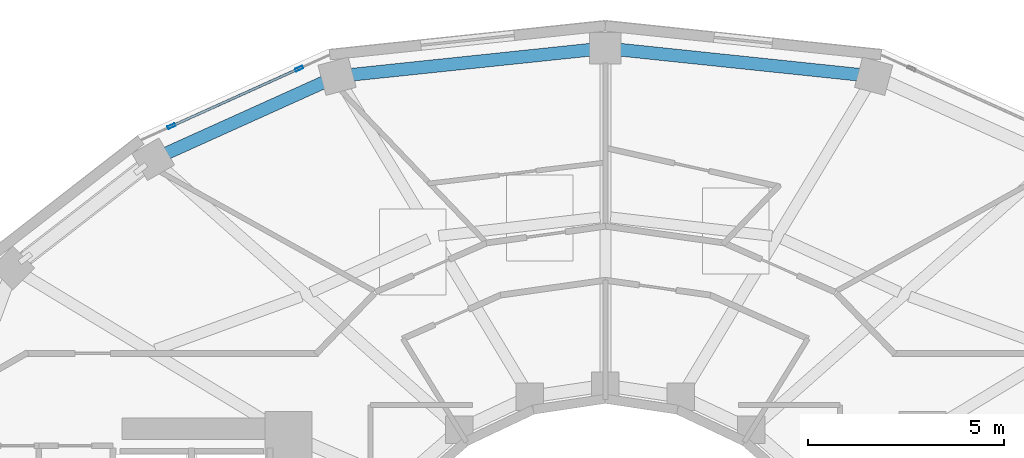
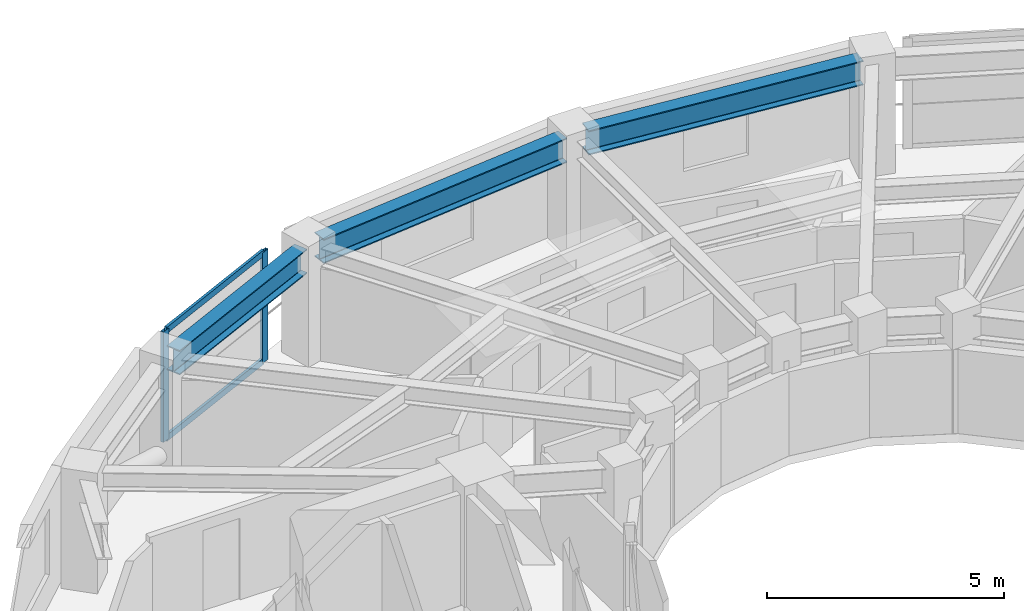
# One storey, part 7 of 16: 4 members, 3 beams, 1 element without a shape of its own.
"""IFC4 building model written with IfcOpenShell, lengths in metres."""

from ifc_helpers import new_model, si_unit, direction, frame, origin, origin_2d, place, context, subcontext, project, spatial, hollow_rectangle, i_section, extrude, material, layer, layer_set, material_profile, profile_set, type_object, element, aggregate, save


model = new_model("IFC4")

# Units and contexts
model_context = context("Model", 3, precision=1e-05, world=origin(), true_north=direction((0.0, 1.0)))
body_context = subcontext(model_context, "Body", "Model", "MODEL_VIEW")
ifc_project = project(units=[si_unit("LENGTHUNIT", "METRE"), si_unit("AREAUNIT", "SQUARE_METRE"), si_unit("VOLUMEUNIT", "CUBIC_METRE"), si_unit("PLANEANGLEUNIT", "RADIAN"), si_unit("MASSUNIT", "GRAM", prefix="KILO")], contexts=[model_context])

# Site, building, storey
site_placement = place(None, origin())
site = spatial("IfcSite", under=ifc_project, at=site_placement, CompositionType="ELEMENT")
building_placement = place(site_placement, origin())
building = spatial("IfcBuilding", under=site, at=building_placement, Name="Solvane Sanctuary Tower", CompositionType="ELEMENT")
storey_placement = place(building_placement, frame((0.0, 0.0, 226.39990234375)))
storey = spatial("IfcBuildingStorey", under=building, at=storey_placement, Name="L69", CompositionType="ELEMENT", Elevation=226.39990234375)

# Beams
ifc_material_1 = material(Name="Steel ASTM A992 Grade 50", Category="steel")
ifc_material_profile_1 = material_profile(ifc_material_1, i_section(OverallWidth=0.327880859375, OverallDepth=0.6279296875, WebThickness=0.0166015625, FlangeThickness=0.027587890625, FilletRadius=0.01611328125, at=origin_2d()), Name="W24X146")
ifc_profile_set_1 = profile_set([ifc_material_profile_1], Name="Steel ASTM A992 Grade 50")
beam_type = type_object("IfcBeamType", Name="Beam B-SPAND-Z3 W24X146", PredefinedType="SPANDREL", material=ifc_profile_set_1)
beam_placement = place(storey_placement, frame((20.7001953125, 37.356689453125, 2.564208984375), z_axis=(0.911467646952, 0.411371764418, 0.0), x_axis=(-0.411371764418, 0.911467646952, 0.0)))
element("IfcBeam", 1, at=beam_placement, inside=storey, type_object=beam_type, Name="L69 Perimeter Spandrel Beam TC06-TC05", PredefinedType="SPANDREL", context=body_context, shape_type="SweptSolid", body=[
    extrude(i_section(OverallWidth=0.327880859375, OverallDepth=0.6279296875, WebThickness=0.0166015625, FlangeThickness=0.027587890625, FilletRadius=0.01611328125, at=origin_2d()), origin(), (0.0, 0.0, 1.0), 4.59521484375),
])
for number, where, z_axis, x_axis, name in (
    (2, (25.42236328125, 39.391357421875, 2.564208984375), (0.994565065885, 0.10411690411, 0.0), (-0.10411690411, 0.994565065885, 0.0), "L69 Perimeter Spandrel Beam TC05-TC04"),
    (3, (32.278564453125, 40.05078125, 2.564208984375), (0.994565065885, -0.10411690411, 0.0), (0.10411690411, 0.994565065885, 0.0), "L69 Perimeter Spandrel Beam TC04-TC03"),
):
    element("IfcBeam", number, at=place(storey_placement, frame(where, z_axis=z_axis, x_axis=x_axis)), inside=storey, type_object=beam_type, Name=name, PredefinedType="SPANDREL", context=body_context, shape_type="SweptSolid", body=[
        extrude(i_section(OverallWidth=0.327880859375, OverallDepth=0.6279296875, WebThickness=0.0166015625, FlangeThickness=0.027587890625, FilletRadius=0.01611328125, at=origin_2d()), origin(), (0.0, 0.0, 1.0), 6.33349609375),
    ])

# Curtain wall, members
ifc_material_2 = material(Name="Anodised Aluminium 6063-T6", Category="aluminium")
ifc_layer = layer(ifc_material_2, 0.18994140625, Name="Anodised Aluminium 6063-T6")
ifc_layer_set = layer_set([ifc_layer], Name="Anodised Aluminium 6063-T6")
curtain_wall_type = type_object("IfcCurtainWallType", Name="Curtain Wall CW-OPER", PredefinedType="NOTDEFINED", material=ifc_layer_set)
curtain_wall_placement = place(storey_placement, origin())
curtain_wall = element("IfcCurtainWall", 4, at=curtain_wall_placement, inside=storey, type_object=curtain_wall_type, Name="L69 CW-OPER Facade Run 07", PredefinedType="NOTDEFINED")
ifc_material_profile_2 = material_profile(ifc_material_2, hollow_rectangle(XDim=0.074951171875, YDim=0.199951171875, WallThickness=0.00390625, at=origin_2d()), Name="ALU200X75X4")
ifc_profile_set_2 = profile_set([ifc_material_profile_2], Name="Anodised Aluminium 6063-T6")
member_type_1 = type_object("IfcMemberType", Name="Member M-CW-MUL-1 ALU200X75X4", PredefinedType="MULLION", material=ifc_profile_set_2)
member_1_placement = place(storey_placement, frame((24.175537109375, 39.55908203125, 0.0), z_axis=(0.0, 0.0, 1.0), x_axis=(0.411470931711, -0.911422883385, 0.0)))
member_1 = element("IfcMember", 5, at=member_1_placement, type_object=member_type_1, Name="CW-OPER mullion 1", PredefinedType="MULLION", context=body_context, shape_type="SweptSolid", body=[
    extrude(hollow_rectangle(XDim=0.074951171875, YDim=0.199951171875, WallThickness=0.00390625, at=origin_2d()), origin(), (0.0, 0.0, 1.0), 2.840087890625),
])
member_2_placement = place(storey_placement, frame((20.911376953125, 38.08544921875, 0.0), z_axis=(0.0, 0.0, 1.0), x_axis=(0.411470931711, -0.911422883385, 0.0)))
member_2 = element("IfcMember", 6, at=member_2_placement, type_object=member_type_1, Name="CW-OPER mullion 2", PredefinedType="MULLION", context=body_context, shape_type="SweptSolid", body=[
    extrude(hollow_rectangle(XDim=0.074951171875, YDim=0.199951171875, WallThickness=0.00390625, at=origin_2d()), origin(), (0.0, 0.0, 1.0), 2.840087890625),
])
ifc_material_profile_3 = material_profile(ifc_material_2, hollow_rectangle(XDim=0.06494140625, YDim=0.159912109375, WallThickness=0.00341796875, at=origin_2d()), Name="ALU160X65X3.5")
ifc_profile_set_3 = profile_set([ifc_material_profile_3], Name="Anodised Aluminium 6063-T6")
member_type_2 = type_object("IfcMemberType", Name="Member M-CW-TRN-1 ALU160X65X3.5", PredefinedType="USERDEFINED", material=ifc_profile_set_3)
member_3_placement = place(storey_placement, frame((24.141357421875, 39.54345703125, 0.03271484375), z_axis=(-0.911438831618, -0.411435603975, 0.0), x_axis=(0.411435603975, -0.911438831618, 0.0)))
member_3 = element("IfcMember", 7, at=member_3_placement, type_object=member_type_2, Name="CW-OPER transom 1.1", ObjectType="TRANSOM", PredefinedType="USERDEFINED", context=body_context, shape_type="SweptSolid", body=[
    extrude(hollow_rectangle(XDim=0.06494140625, YDim=0.159912109375, WallThickness=0.00341796875, at=origin_2d()), origin(), (0.0, 0.0, 1.0), 3.50634765625),
])
member_4_placement = place(storey_placement, frame((24.141357421875, 39.54345703125, 2.8076171875), z_axis=(-0.911438831618, -0.411435603975, 0.0), x_axis=(0.411435603975, -0.911438831618, 0.0)))
member_4 = element("IfcMember", 8, at=member_4_placement, type_object=member_type_2, Name="CW-OPER transom 1.2", ObjectType="TRANSOM", PredefinedType="USERDEFINED", context=body_context, shape_type="SweptSolid", body=[
    extrude(hollow_rectangle(XDim=0.06494140625, YDim=0.159912109375, WallThickness=0.00341796875, at=origin_2d()), origin(), (0.0, 0.0, 1.0), 3.50634765625),
])
aggregate(curtain_wall, [member_1, member_2, member_3, member_4])

save(model, "model.ifc")
